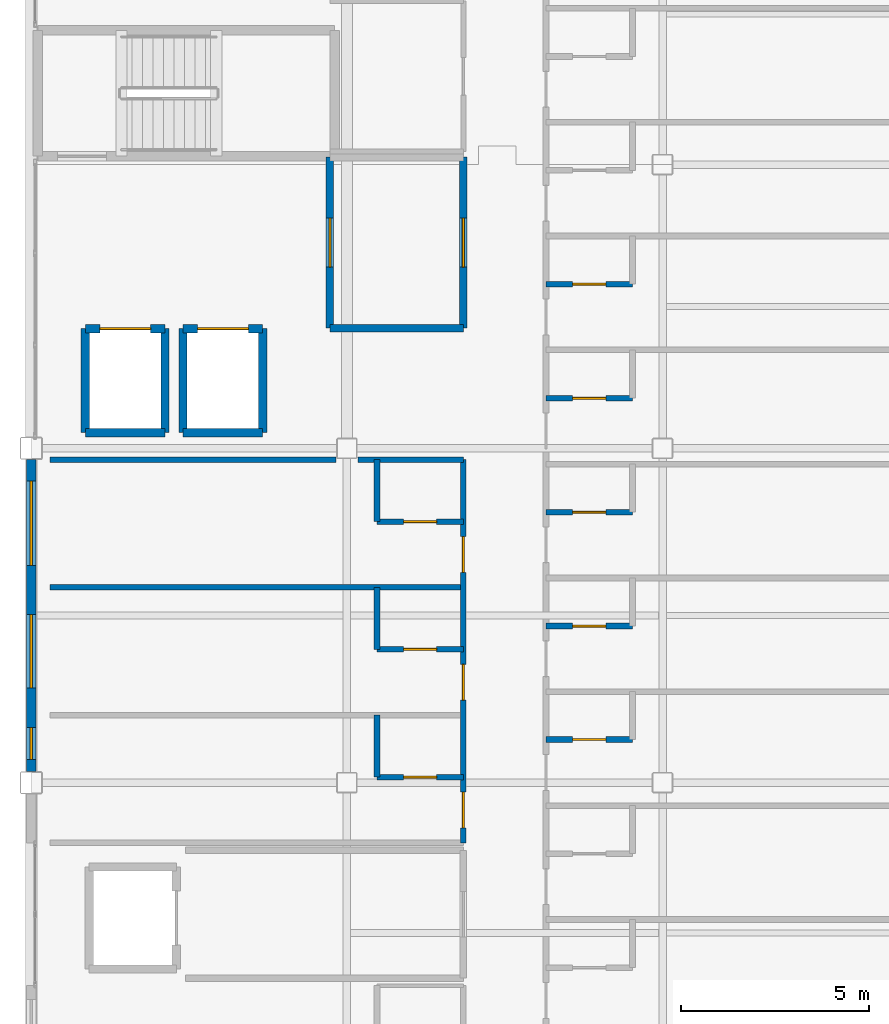
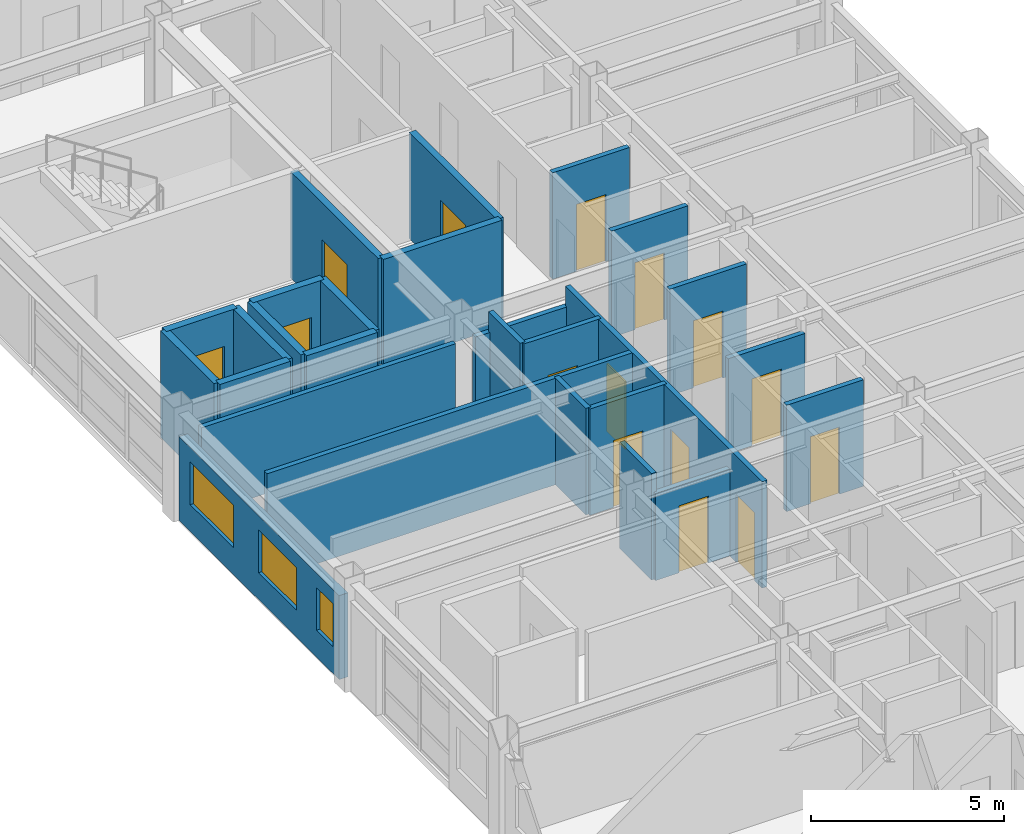
# One storey, part 27 of 36: 27 walls, 15 doors, 3 windows, 18 openings.
"""IFC4 building model written with IfcOpenShell, lengths in metres."""

from ifc_helpers import new_model, si_unit, direction, frame, frame_2d, origin, place, context, subcontext, project, spatial, rectangle, extrude, material, layer, layer_set, type_object, element, fill, save


model = new_model("IFC4")

# Units and contexts
model_context = context("Model", 3, precision=1e-05, world=origin(), true_north=direction((0.0, 1.0)))
body_context = subcontext(model_context, "Body", "Model", "MODEL_VIEW")
ifc_project = project(units=[si_unit("LENGTHUNIT", "METRE"), si_unit("AREAUNIT", "SQUARE_METRE"), si_unit("VOLUMEUNIT", "CUBIC_METRE"), si_unit("PLANEANGLEUNIT", "RADIAN"), si_unit("MASSUNIT", "GRAM", prefix="KILO")], contexts=[model_context])

# Site, building, storey
site_placement = place(None, origin())
site = spatial("IfcSite", under=ifc_project, at=site_placement, CompositionType="ELEMENT")
building_placement = place(site_placement, origin())
building = spatial("IfcBuilding", under=site, at=building_placement, Name="Kazehara Bluff Congress Hotel", CompositionType="ELEMENT")
storey_placement = place(building_placement, frame((0.0, 0.0, 31.800048828125)))
storey = spatial("IfcBuildingStorey", under=building, at=storey_placement, Name="L07", CompositionType="ELEMENT", Elevation=31.800048828125)

# Wall, openings, windows
ifc_material_1 = material(Name="Precast concrete C40/50", Category="concrete")
ifc_layer_1 = layer(ifc_material_1, 0.260009765625)
ifc_layer_set_1 = layer_set([ifc_layer_1], Name="Precast concrete C40/50")
wall_type_1 = type_object("IfcWallType", Name="TP-EW-260", PredefinedType="SOLIDWALL", material=ifc_layer_set_1)
wall_1_placement = place(storey_placement, frame((143.699951171875, 32.300048828125, 0.0), z_axis=(0.0, 0.0, 1.0), x_axis=(0.0, 1.0, 0.0)))
wall_1 = element("IfcWall", 1, at=wall_1_placement, inside=storey, type_object=wall_type_1, Name="L07 hotel facade panel 104", PredefinedType="SOLIDWALL", context=body_context, shape_type="SweptSolid", body=[
    extrude(rectangle(XDim=8.300048828125, YDim=0.260009765625, at=frame_2d((4.14990234375, 0.0))), origin(), (0.0, 0.0, 1.0), 2.655029296875),
])
opening_1_placement = place(wall_1_placement, frame((0.324951171875, 0.0, 0.85009765625)))
opening_1 = element("IfcOpeningElement", 2, at=opening_1_placement, cuts=wall_1, Name="Opening WN-55", PredefinedType="OPENING", context=body_context, shape_type="SweptSolid", body=[
    extrude(rectangle(XDim=0.85009765625, YDim=1.35009765625, at=frame_2d((0.425048828125, 0.675048828125))), frame((0.0, 0.139892578125, 0.0), z_axis=(0.0, -1.0, 0.0), x_axis=(1.0, 0.0, 0.0)), (0.0, 0.0, 1.0), 0.280029296875),
])
opening_2_placement = place(wall_1_placement, frame((2.22509765625, 0.0, 0.85009765625)))
opening_2 = element("IfcOpeningElement", 3, at=opening_2_placement, cuts=wall_1, Name="Opening WN-41", PredefinedType="OPENING", context=body_context, shape_type="SweptSolid", body=[
    extrude(rectangle(XDim=1.949951171875, YDim=1.35009765625, at=frame_2d((0.97509765625, 0.675048828125))), frame((0.0, 0.139892578125, 0.0), z_axis=(0.0, -1.0, 0.0), x_axis=(1.0, 0.0, 0.0)), (0.0, 0.0, 1.0), 0.280029296875),
])
opening_3_placement = place(wall_1_placement, frame((5.47509765625, 0.0, 0.85009765625)))
opening_3 = element("IfcOpeningElement", 4, at=opening_3_placement, cuts=wall_1, Name="Opening WN-51", PredefinedType="OPENING", context=body_context, shape_type="SweptSolid", body=[
    extrude(rectangle(XDim=2.25, YDim=1.35009765625, at=frame_2d((1.125, 0.675048828125))), frame((0.0, 0.139892578125, 0.0), z_axis=(0.0, -1.0, 0.0), x_axis=(1.0, 0.0, 0.0)), (0.0, 0.0, 1.0), 0.280029296875),
])
ifc_material_2 = material(Name="Insulated low-E double glazing", Category="glass")
window_type_1 = type_object("IfcWindowType", Name="TP-WN-41", PartitioningType="DOUBLE_PANEL_VERTICAL", PredefinedType="WINDOW", material=ifc_material_2)
window_1_placement = place(opening_2_placement, origin())
window_1 = element("IfcWindow", 5, at=window_1_placement, inside=storey, type_object=window_type_1, Name="L07 guestroom window WN-41 198", OverallHeight=1.35009765625, OverallWidth=1.949951171875, PartitioningType="SINGLE_PANEL", PredefinedType="WINDOW", context=body_context, shape_type="SweptSolid", body=[
    extrude(rectangle(XDim=1.949951171875, YDim=1.35009765625, at=frame_2d((0.97509765625, 0.675048828125))), frame((0.0, 0.030029296875, 0.0), z_axis=(0.0, -1.0, 0.0), x_axis=(1.0, 0.0, 0.0)), (0.0, 0.0, 1.0), 0.06005859375),
])
fill(opening_2, window_1)
ifc_material_3 = material(Name="Insulated low-E double glazing", Category="glass")
window_type_2 = type_object("IfcWindowType", Name="TP-WN-51", PartitioningType="DOUBLE_PANEL_VERTICAL", PredefinedType="WINDOW", material=ifc_material_3)
window_2_placement = place(opening_3_placement, origin())
window_2 = element("IfcWindow", 6, at=window_2_placement, inside=storey, type_object=window_type_2, Name="L07 guestroom window WN-51 199", OverallHeight=1.35009765625, OverallWidth=2.25, PartitioningType="SINGLE_PANEL", PredefinedType="WINDOW", context=body_context, shape_type="SweptSolid", body=[
    extrude(rectangle(XDim=2.25, YDim=1.35009765625, at=frame_2d((1.125, 0.675048828125))), frame((0.0, 0.030029296875, 0.0), z_axis=(0.0, -1.0, 0.0), x_axis=(1.0, 0.0, 0.0)), (0.0, 0.0, 1.0), 0.06005859375),
])
fill(opening_3, window_2)
ifc_material_4 = material(Name="Insulated low-E double glazing", Category="glass")
window_type_3 = type_object("IfcWindowType", Name="TP-WN-55", PartitioningType="SINGLE_PANEL", PredefinedType="WINDOW", material=ifc_material_4)
window_3_placement = place(opening_1_placement, origin())
window_3 = element("IfcWindow", 7, at=window_3_placement, inside=storey, type_object=window_type_3, Name="L07 guestroom window WN-55 197", OverallHeight=1.35009765625, OverallWidth=0.85009765625, PartitioningType="SINGLE_PANEL", PredefinedType="WINDOW", context=body_context, shape_type="SweptSolid", body=[
    extrude(rectangle(XDim=0.85009765625, YDim=1.35009765625, at=frame_2d((0.425048828125, 0.675048828125))), frame((0.0, 0.030029296875, 0.0), z_axis=(0.0, -1.0, 0.0), x_axis=(1.0, 0.0, 0.0)), (0.0, 0.0, 1.0), 0.06005859375),
])
fill(opening_1, window_3)

# Wall
ifc_material_5 = material(Name="Concrete C40/50", Category="concrete")
ifc_layer_2 = layer(ifc_material_5, 0.199951171875)
ifc_layer_set_2 = layer_set([ifc_layer_2], Name="Concrete C40/50")
wall_type_2 = type_object("IfcWallType", Name="TP-FW-RC", PredefinedType="SOLIDWALL", material=ifc_layer_set_2)
wall_2_placement = place(storey_placement, frame((151.64990234375, 44.10009765625, 0.0), z_axis=(0.0, 0.0, 1.0), x_axis=(1.0, 0.0, 0.0)))
element("IfcWall", 8, at=wall_2_placement, inside=storey, type_object=wall_type_2, Name="L07 partition FW-RC 900", PredefinedType="SOLIDWALL", context=body_context, shape_type="SweptSolid", body=[
    extrude(rectangle(XDim=3.550048828125, YDim=0.199951171875, at=frame_2d((1.77490234375, 0.0))), origin(), (0.0, 0.0, 1.0), 3.364990234375),
])

# Wall, opening, door
wall_3_placement = place(storey_placement, frame((151.64990234375, 44.10009765625, 0.0), z_axis=(0.0, 0.0, 1.0), x_axis=(0.0, 1.0, 0.0)))
wall_3 = element("IfcWall", 9, at=wall_3_placement, inside=storey, type_object=wall_type_2, Name="L07 partition FW-RC 958", PredefinedType="SOLIDWALL", context=body_context, shape_type="SweptSolid", body=[
    extrude(rectangle(XDim=4.5498046875, YDim=0.199951171875, at=frame_2d((2.27490234375, 0.0))), origin(), (0.0, 0.0, 1.0), 3.364990234375),
])
opening_4_placement = place(wall_3_placement, frame((1.625, 0.0, 0.0)))
opening_4 = element("IfcOpeningElement", 10, at=opening_4_placement, cuts=wall_3, Name="Opening FD-01", PredefinedType="OPENING", context=body_context, shape_type="SweptSolid", body=[
    extrude(rectangle(XDim=1.300048828125, YDim=2.199951171875, at=frame_2d((0.64990234375, 1.10009765625))), frame((0.0, 0.10986328125, 0.0), z_axis=(0.0, -1.0, 0.0), x_axis=(1.0, 0.0, 0.0)), (0.0, 0.0, 1.0), 0.219970703125),
])
ifc_material_6 = material(Name="Fire-rated painted steel leaf", Category="steel")
door_type_1 = type_object("IfcDoorType", Name="TP-FD-01", OperationType="NOTDEFINED", PredefinedType="DOOR", material=ifc_material_6)
door_1_placement = place(opening_4_placement, origin())
door_1 = element("IfcDoor", 11, at=door_1_placement, inside=storey, type_object=door_type_1, Name="L07 Emergency Firefighting Lobby door", OperationType="SINGLE_SWING_RIGHT", OverallHeight=2.199951171875, OverallWidth=1.300048828125, PredefinedType="DOOR", context=body_context, shape_type="SweptSolid", body=[
    extrude(rectangle(XDim=1.300048828125, YDim=2.199951171875, at=frame_2d((0.64990234375, 1.10009765625))), frame((0.0, 0.02490234375, 0.0), z_axis=(0.0, -1.0, 0.0), x_axis=(1.0, 0.0, 0.0)), (0.0, 0.0, 1.0), 0.050048828125),
])
fill(opening_4, door_1)

wall_4_placement = place(storey_placement, frame((155.199951171875, 44.10009765625, 0.0), z_axis=(0.0, 0.0, 1.0), x_axis=(0.0, 1.0, 0.0)))
wall_4 = element("IfcWall", 12, at=wall_4_placement, inside=storey, type_object=wall_type_2, Name="L07 partition FW-RC 978", PredefinedType="SOLIDWALL", context=body_context, shape_type="SweptSolid", body=[
    extrude(rectangle(XDim=4.5498046875, YDim=0.199951171875, at=frame_2d((2.27490234375, 0.0))), origin(), (0.0, 0.0, 1.0), 3.364990234375),
])
opening_5_placement = place(wall_4_placement, frame((1.625, 0.0, 0.0)))
opening_5 = element("IfcOpeningElement", 13, at=opening_5_placement, cuts=wall_4, Name="Opening FD-01", PredefinedType="OPENING", context=body_context, shape_type="SweptSolid", body=[
    extrude(rectangle(XDim=1.300048828125, YDim=2.199951171875, at=frame_2d((0.64990234375, 1.10009765625))), frame((0.0, 0.10986328125, 0.0), z_axis=(0.0, -1.0, 0.0), x_axis=(1.0, 0.0, 0.0)), (0.0, 0.0, 1.0), 0.219970703125),
])
door_2_placement = place(opening_5_placement, origin())
door_2 = element("IfcDoor", 14, at=door_2_placement, inside=storey, type_object=door_type_1, Name="L07 Smoke Vestibule Lobby door", OperationType="SINGLE_SWING_LEFT", OverallHeight=2.199951171875, OverallWidth=1.300048828125, PredefinedType="DOOR", context=body_context, shape_type="SweptSolid", body=[
    extrude(rectangle(XDim=1.300048828125, YDim=2.199951171875, at=frame_2d((0.64990234375, 1.10009765625))), frame((0.0, 0.02490234375, 0.0), z_axis=(0.0, -1.0, 0.0), x_axis=(1.0, 0.0, 0.0)), (0.0, 0.0, 1.0), 0.050048828125),
])
fill(opening_5, door_2)

ifc_material_7 = material(Name="Fire-rated gypsum board stud partition")
ifc_layer_3 = layer(ifc_material_7, 0.14990234375)
ifc_layer_set_3 = layer_set([ifc_layer_3], Name="Fire-rated gypsum board stud partition")
wall_type_3 = type_object("IfcWallType", Name="TP-PT-150", PredefinedType="PARTITIONING", material=ifc_layer_set_3)
wall_5_placement = place(storey_placement, frame((152.89990234375, 32.14990234375, 0.0), z_axis=(0.0, 0.0, 1.0), x_axis=(1.0, 0.0, 0.0)))
wall_5 = element("IfcWall", 15, at=wall_5_placement, inside=storey, type_object=wall_type_3, Name="L07 partition PT-150 885", PredefinedType="PARTITIONING", context=body_context, shape_type="SweptSolid", body=[
    extrude(rectangle(XDim=2.300048828125, YDim=0.14990234375, at=frame_2d((1.14990234375, 0.0))), origin(), (0.0, 0.0, 1.0), 2.7548828125),
])
opening_6_placement = place(wall_5_placement, frame((0.7099609375, 0.0, 0.0)))
opening_6 = element("IfcOpeningElement", 16, at=opening_6_placement, cuts=wall_5, Name="Opening BD-02", PredefinedType="OPENING", context=body_context, shape_type="SweptSolid", body=[
    extrude(rectangle(XDim=0.8798828125, YDim=2.1201171875, at=frame_2d((0.43994140625, 1.06005859375))), frame((0.0, 0.0849609375, 0.0), z_axis=(0.0, -1.0, 0.0), x_axis=(1.0, 0.0, 0.0)), (0.0, 0.0, 1.0), 0.169921875),
])
ifc_material_8 = material(Name="Architectural oak veneer leaf")
door_type_2 = type_object("IfcDoorType", Name="TP-BD-02", OperationType="NOTDEFINED", PredefinedType="DOOR", material=ifc_material_8)
door_3_placement = place(opening_6_placement, origin())
door_3 = element("IfcDoor", 17, at=door_3_placement, inside=storey, type_object=door_type_2, Name="L07 En-suite Bathroom 171 door", OperationType="SINGLE_SWING_RIGHT", OverallHeight=2.1201171875, OverallWidth=0.8798828125, PredefinedType="DOOR", context=body_context, shape_type="SweptSolid", body=[
    extrude(rectangle(XDim=0.8798828125, YDim=2.1201171875, at=frame_2d((0.43994140625, 1.06005859375))), frame((0.0, 0.02490234375, 0.0), z_axis=(0.0, -1.0, 0.0), x_axis=(1.0, 0.0, 0.0)), (0.0, 0.0, 1.0), 0.050048828125),
])
fill(opening_6, door_3)

wall_6_placement = place(storey_placement, frame((157.39990234375, 33.14990234375, 0.0), z_axis=(0.0, 0.0, 1.0), x_axis=(1.0, 0.0, 0.0)))
wall_6 = element("IfcWall", 18, at=wall_6_placement, inside=storey, type_object=wall_type_3, Name="L07 partition PT-150 886", PredefinedType="PARTITIONING", context=body_context, shape_type="SweptSolid", body=[
    extrude(rectangle(XDim=2.300048828125, YDim=0.14990234375, at=frame_2d((1.14990234375, 0.0))), origin(), (0.0, 0.0, 1.0), 3.364990234375),
])
opening_7_placement = place(wall_6_placement, frame((0.7099609375, 0.0, 0.0)))
opening_7 = element("IfcOpeningElement", 19, at=opening_7_placement, cuts=wall_6, Name="Opening BD-02", PredefinedType="OPENING", context=body_context, shape_type="SweptSolid", body=[
    extrude(rectangle(XDim=0.8798828125, YDim=2.1201171875, at=frame_2d((0.43994140625, 1.06005859375))), frame((0.0, 0.0849609375, 0.0), z_axis=(0.0, -1.0, 0.0), x_axis=(1.0, 0.0, 0.0)), (0.0, 0.0, 1.0), 0.169921875),
])
door_4_placement = place(opening_7_placement, origin())
door_4 = element("IfcDoor", 20, at=door_4_placement, inside=storey, type_object=door_type_2, Name="L07 En-suite Bathroom 189 door", OperationType="SINGLE_SWING_RIGHT", OverallHeight=2.1201171875, OverallWidth=0.8798828125, PredefinedType="DOOR", context=body_context, shape_type="SweptSolid", body=[
    extrude(rectangle(XDim=0.8798828125, YDim=2.1201171875, at=frame_2d((0.43994140625, 1.06005859375))), frame((0.0, 0.02490234375, 0.0), z_axis=(0.0, -1.0, 0.0), x_axis=(1.0, 0.0, 0.0)), (0.0, 0.0, 1.0), 0.050048828125),
])
fill(opening_7, door_4)

wall_7_placement = place(storey_placement, frame((152.89990234375, 35.550048828125, 0.0), z_axis=(0.0, 0.0, 1.0), x_axis=(1.0, 0.0, 0.0)))
wall_7 = element("IfcWall", 21, at=wall_7_placement, inside=storey, type_object=wall_type_3, Name="L07 partition PT-150 889", PredefinedType="PARTITIONING", context=body_context, shape_type="SweptSolid", body=[
    extrude(rectangle(XDim=2.300048828125, YDim=0.14990234375, at=frame_2d((1.14990234375, 0.0))), origin(), (0.0, 0.0, 1.0), 3.364990234375),
])
opening_8_placement = place(wall_7_placement, frame((0.7099609375, 0.0, 0.0)))
opening_8 = element("IfcOpeningElement", 22, at=opening_8_placement, cuts=wall_7, Name="Opening BD-02", PredefinedType="OPENING", context=body_context, shape_type="SweptSolid", body=[
    extrude(rectangle(XDim=0.8798828125, YDim=2.1201171875, at=frame_2d((0.43994140625, 1.06005859375))), frame((0.0, 0.0849609375, 0.0), z_axis=(0.0, -1.0, 0.0), x_axis=(1.0, 0.0, 0.0)), (0.0, 0.0, 1.0), 0.169921875),
])
door_5_placement = place(opening_8_placement, origin())
door_5 = element("IfcDoor", 23, at=door_5_placement, inside=storey, type_object=door_type_2, Name="L07 En-suite Bathroom 172 door", OperationType="SINGLE_SWING_RIGHT", OverallHeight=2.1201171875, OverallWidth=0.8798828125, PredefinedType="DOOR", context=body_context, shape_type="SweptSolid", body=[
    extrude(rectangle(XDim=0.8798828125, YDim=2.1201171875, at=frame_2d((0.43994140625, 1.06005859375))), frame((0.0, 0.02490234375, 0.0), z_axis=(0.0, -1.0, 0.0), x_axis=(1.0, 0.0, 0.0)), (0.0, 0.0, 1.0), 0.050048828125),
])
fill(opening_8, door_5)

wall_8_placement = place(storey_placement, frame((157.39990234375, 36.169921875, 0.0), z_axis=(0.0, 0.0, 1.0), x_axis=(1.0, 0.0, 0.0)))
wall_8 = element("IfcWall", 24, at=wall_8_placement, inside=storey, type_object=wall_type_3, Name="L07 partition PT-150 890", PredefinedType="PARTITIONING", context=body_context, shape_type="SweptSolid", body=[
    extrude(rectangle(XDim=2.300048828125, YDim=0.14990234375, at=frame_2d((1.14990234375, 0.0))), origin(), (0.0, 0.0, 1.0), 3.0048828125),
])
opening_9_placement = place(wall_8_placement, frame((0.7099609375, 0.0, 0.0)))
opening_9 = element("IfcOpeningElement", 25, at=opening_9_placement, cuts=wall_8, Name="Opening BD-02", PredefinedType="OPENING", context=body_context, shape_type="SweptSolid", body=[
    extrude(rectangle(XDim=0.8798828125, YDim=2.1201171875, at=frame_2d((0.43994140625, 1.06005859375))), frame((0.0, 0.0849609375, 0.0), z_axis=(0.0, -1.0, 0.0), x_axis=(1.0, 0.0, 0.0)), (0.0, 0.0, 1.0), 0.169921875),
])
door_6_placement = place(opening_9_placement, origin())
door_6 = element("IfcDoor", 26, at=door_6_placement, inside=storey, type_object=door_type_2, Name="L07 En-suite Bathroom 190 door", OperationType="SINGLE_SWING_RIGHT", OverallHeight=2.1201171875, OverallWidth=0.8798828125, PredefinedType="DOOR", context=body_context, shape_type="SweptSolid", body=[
    extrude(rectangle(XDim=0.8798828125, YDim=2.1201171875, at=frame_2d((0.43994140625, 1.06005859375))), frame((0.0, 0.02490234375, 0.0), z_axis=(0.0, -1.0, 0.0), x_axis=(1.0, 0.0, 0.0)), (0.0, 0.0, 1.0), 0.050048828125),
])
fill(opening_9, door_6)

# Wall
wall_9_placement = place(storey_placement, frame((144.199951171875, 37.199951171875, 0.0), z_axis=(0.0, 0.0, 1.0), x_axis=(1.0, 0.0, 0.0)))
element("IfcWall", 27, at=wall_9_placement, inside=storey, type_object=wall_type_3, Name="L07 partition PT-150 891", PredefinedType="PARTITIONING", context=body_context, shape_type="SweptSolid", body=[
    extrude(rectangle(XDim=11.0, YDim=0.14990234375, at=frame_2d((5.5, 0.0))), origin(), (0.0, 0.0, 1.0), 3.364990234375),
])

# Wall, opening, door
wall_10_placement = place(storey_placement, frame((152.89990234375, 38.949951171875, 0.0), z_axis=(0.0, 0.0, 1.0), x_axis=(1.0, 0.0, 0.0)))
wall_10 = element("IfcWall", 28, at=wall_10_placement, inside=storey, type_object=wall_type_3, Name="L07 partition PT-150 893", PredefinedType="PARTITIONING", context=body_context, shape_type="SweptSolid", body=[
    extrude(rectangle(XDim=2.300048828125, YDim=0.14990234375, at=frame_2d((1.14990234375, 0.0))), origin(), (0.0, 0.0, 1.0), 3.364990234375),
])
opening_10_placement = place(wall_10_placement, frame((0.7099609375, 0.0, 0.0)))
opening_10 = element("IfcOpeningElement", 29, at=opening_10_placement, cuts=wall_10, Name="Opening BD-02", PredefinedType="OPENING", context=body_context, shape_type="SweptSolid", body=[
    extrude(rectangle(XDim=0.8798828125, YDim=2.1201171875, at=frame_2d((0.43994140625, 1.06005859375))), frame((0.0, 0.0849609375, 0.0), z_axis=(0.0, -1.0, 0.0), x_axis=(1.0, 0.0, 0.0)), (0.0, 0.0, 1.0), 0.169921875),
])
door_7_placement = place(opening_10_placement, origin())
door_7 = element("IfcDoor", 30, at=door_7_placement, inside=storey, type_object=door_type_2, Name="L07 En-suite Bathroom 173 door", OperationType="SINGLE_SWING_RIGHT", OverallHeight=2.1201171875, OverallWidth=0.8798828125, PredefinedType="DOOR", context=body_context, shape_type="SweptSolid", body=[
    extrude(rectangle(XDim=0.8798828125, YDim=2.1201171875, at=frame_2d((0.43994140625, 1.06005859375))), frame((0.0, 0.02490234375, 0.0), z_axis=(0.0, -1.0, 0.0), x_axis=(1.0, 0.0, 0.0)), (0.0, 0.0, 1.0), 0.050048828125),
])
fill(opening_10, door_7)

wall_11_placement = place(storey_placement, frame((157.39990234375, 39.199951171875, 0.0), z_axis=(0.0, 0.0, 1.0), x_axis=(1.0, 0.0, 0.0)))
wall_11 = element("IfcWall", 31, at=wall_11_placement, inside=storey, type_object=wall_type_3, Name="L07 partition PT-150 894", PredefinedType="PARTITIONING", context=body_context, shape_type="SweptSolid", body=[
    extrude(rectangle(XDim=2.300048828125, YDim=0.14990234375, at=frame_2d((1.14990234375, 0.0))), origin(), (0.0, 0.0, 1.0), 3.364990234375),
])
opening_11_placement = place(wall_11_placement, frame((0.7099609375, 0.0, 0.0)))
opening_11 = element("IfcOpeningElement", 32, at=opening_11_placement, cuts=wall_11, Name="Opening BD-02", PredefinedType="OPENING", context=body_context, shape_type="SweptSolid", body=[
    extrude(rectangle(XDim=0.8798828125, YDim=2.1201171875, at=frame_2d((0.43994140625, 1.06005859375))), frame((0.0, 0.0849609375, 0.0), z_axis=(0.0, -1.0, 0.0), x_axis=(1.0, 0.0, 0.0)), (0.0, 0.0, 1.0), 0.169921875),
])
door_8_placement = place(opening_11_placement, origin())
door_8 = element("IfcDoor", 33, at=door_8_placement, inside=storey, type_object=door_type_2, Name="L07 En-suite Bathroom 191 door", OperationType="SINGLE_SWING_RIGHT", OverallHeight=2.1201171875, OverallWidth=0.8798828125, PredefinedType="DOOR", context=body_context, shape_type="SweptSolid", body=[
    extrude(rectangle(XDim=0.8798828125, YDim=2.1201171875, at=frame_2d((0.43994140625, 1.06005859375))), frame((0.0, 0.02490234375, 0.0), z_axis=(0.0, -1.0, 0.0), x_axis=(1.0, 0.0, 0.0)), (0.0, 0.0, 1.0), 0.050048828125),
])
fill(opening_11, door_8)

# Walls
wall_12_placement = place(storey_placement, frame((144.199951171875, 40.60009765625, 0.0), z_axis=(0.0, 0.0, 1.0), x_axis=(1.0, 0.0, 0.0)))
element("IfcWall", 34, at=wall_12_placement, inside=storey, type_object=wall_type_3, Name="L07 partition PT-150 896", PredefinedType="PARTITIONING", context=body_context, shape_type="SweptSolid", body=[
    extrude(rectangle(XDim=7.60498046875, YDim=0.14990234375, at=frame_2d((3.802490234375, 0.0))), origin(), (0.0, 0.0, 1.0), 2.7548828125),
])
wall_13_placement = place(storey_placement, frame((152.39501953125, 40.60009765625, 0.0), z_axis=(0.0, 0.0, 1.0), x_axis=(1.0, 0.0, 0.0)))
element("IfcWall", 35, at=wall_13_placement, inside=storey, type_object=wall_type_3, Name="L07 partition PT-150 897", PredefinedType="PARTITIONING", context=body_context, shape_type="SweptSolid", body=[
    extrude(rectangle(XDim=2.804931640625, YDim=0.14990234375, at=frame_2d((1.40234375, 0.0))), origin(), (0.0, 0.0, 1.0), 2.7548828125),
])

# Wall, opening, door
wall_14_placement = place(storey_placement, frame((157.39990234375, 42.22998046875, 0.0), z_axis=(0.0, 0.0, 1.0), x_axis=(1.0, 0.0, 0.0)))
wall_14 = element("IfcWall", 36, at=wall_14_placement, inside=storey, type_object=wall_type_3, Name="L07 partition PT-150 898", PredefinedType="PARTITIONING", context=body_context, shape_type="SweptSolid", body=[
    extrude(rectangle(XDim=2.300048828125, YDim=0.14990234375, at=frame_2d((1.14990234375, 0.0))), origin(), (0.0, 0.0, 1.0), 3.364990234375),
])
opening_12_placement = place(wall_14_placement, frame((0.7099609375, 0.0, 0.0)))
opening_12 = element("IfcOpeningElement", 37, at=opening_12_placement, cuts=wall_14, Name="Opening BD-02", PredefinedType="OPENING", context=body_context, shape_type="SweptSolid", body=[
    extrude(rectangle(XDim=0.8798828125, YDim=2.1201171875, at=frame_2d((0.43994140625, 1.06005859375))), frame((0.0, 0.0849609375, 0.0), z_axis=(0.0, -1.0, 0.0), x_axis=(1.0, 0.0, 0.0)), (0.0, 0.0, 1.0), 0.169921875),
])
door_9_placement = place(opening_12_placement, origin())
door_9 = element("IfcDoor", 38, at=door_9_placement, inside=storey, type_object=door_type_2, Name="L07 En-suite Bathroom 192 door", OperationType="SINGLE_SWING_RIGHT", OverallHeight=2.1201171875, OverallWidth=0.8798828125, PredefinedType="DOOR", context=body_context, shape_type="SweptSolid", body=[
    extrude(rectangle(XDim=0.8798828125, YDim=2.1201171875, at=frame_2d((0.43994140625, 1.06005859375))), frame((0.0, 0.02490234375, 0.0), z_axis=(0.0, -1.0, 0.0), x_axis=(1.0, 0.0, 0.0)), (0.0, 0.0, 1.0), 0.050048828125),
])
fill(opening_12, door_9)

wall_15_placement = place(storey_placement, frame((157.39990234375, 45.27001953125, 0.0), z_axis=(0.0, 0.0, 1.0), x_axis=(1.0, 0.0, 0.0)))
wall_15 = element("IfcWall", 39, at=wall_15_placement, inside=storey, type_object=wall_type_3, Name="L07 partition PT-150 901", PredefinedType="PARTITIONING", context=body_context, shape_type="SweptSolid", body=[
    extrude(rectangle(XDim=2.300048828125, YDim=0.14990234375, at=frame_2d((1.14990234375, 0.0))), origin(), (0.0, 0.0, 1.0), 3.364990234375),
])
opening_13_placement = place(wall_15_placement, frame((0.7099609375, 0.0, 0.0)))
opening_13 = element("IfcOpeningElement", 40, at=opening_13_placement, cuts=wall_15, Name="Opening BD-02", PredefinedType="OPENING", context=body_context, shape_type="SweptSolid", body=[
    extrude(rectangle(XDim=0.8798828125, YDim=2.1201171875, at=frame_2d((0.43994140625, 1.06005859375))), frame((0.0, 0.0849609375, 0.0), z_axis=(0.0, -1.0, 0.0), x_axis=(1.0, 0.0, 0.0)), (0.0, 0.0, 1.0), 0.169921875),
])
door_10_placement = place(opening_13_placement, origin())
door_10 = element("IfcDoor", 41, at=door_10_placement, inside=storey, type_object=door_type_2, Name="L07 En-suite Bathroom 193 door", OperationType="SINGLE_SWING_RIGHT", OverallHeight=2.1201171875, OverallWidth=0.8798828125, PredefinedType="DOOR", context=body_context, shape_type="SweptSolid", body=[
    extrude(rectangle(XDim=0.8798828125, YDim=2.1201171875, at=frame_2d((0.43994140625, 1.06005859375))), frame((0.0, 0.02490234375, 0.0), z_axis=(0.0, -1.0, 0.0), x_axis=(1.0, 0.0, 0.0)), (0.0, 0.0, 1.0), 0.050048828125),
])
fill(opening_13, door_10)

# Walls
wall_16_placement = place(storey_placement, frame((152.89990234375, 32.14990234375, 0.0), z_axis=(0.0, 0.0, 1.0), x_axis=(0.0, 1.0, 0.0)))
element("IfcWall", 42, at=wall_16_placement, inside=storey, type_object=wall_type_3, Name="L07 partition PT-150 963", PredefinedType="PARTITIONING", context=body_context, shape_type="SweptSolid", body=[
    extrude(rectangle(XDim=1.650146484375, YDim=0.14990234375, at=frame_2d((0.8251953125, 0.0))), origin(), (0.0, 0.0, 1.0), 3.364990234375),
])
wall_17_placement = place(storey_placement, frame((152.89990234375, 35.550048828125, 0.0), z_axis=(0.0, 0.0, 1.0), x_axis=(0.0, 1.0, 0.0)))
element("IfcWall", 43, at=wall_17_placement, inside=storey, type_object=wall_type_3, Name="L07 partition PT-150 964", PredefinedType="PARTITIONING", context=body_context, shape_type="SweptSolid", body=[
    extrude(rectangle(XDim=1.64990234375, YDim=0.14990234375, at=frame_2d((0.824951171875, 0.0))), origin(), (0.0, 0.0, 1.0), 3.364990234375),
])
wall_18_placement = place(storey_placement, frame((152.89990234375, 38.949951171875, 0.0), z_axis=(0.0, 0.0, 1.0), x_axis=(0.0, 1.0, 0.0)))
element("IfcWall", 44, at=wall_18_placement, inside=storey, type_object=wall_type_3, Name="L07 partition PT-150 965", PredefinedType="PARTITIONING", context=body_context, shape_type="SweptSolid", body=[
    extrude(rectangle(XDim=1.650146484375, YDim=0.14990234375, at=frame_2d((0.8251953125, 0.0))), origin(), (0.0, 0.0, 1.0), 3.364990234375),
])

# Wall, openings, doors
wall_19_placement = place(storey_placement, frame((155.199951171875, 30.39990234375, 0.0), z_axis=(0.0, 0.0, 1.0), x_axis=(0.0, 1.0, 0.0)))
wall_19 = element("IfcWall", 45, at=wall_19_placement, inside=storey, type_object=wall_type_3, Name="L07 partition PT-150 977", PredefinedType="PARTITIONING", context=body_context, shape_type="SweptSolid", body=[
    extrude(rectangle(XDim=10.2001953125, YDim=0.14990234375, at=frame_2d((5.10009765625, 0.0))), origin(), (0.0, 0.0, 1.0), 3.364990234375),
])
opening_14_placement = place(wall_19_placement, frame((0.39990234375, 0.0, 0.0)))
opening_14 = element("IfcOpeningElement", 46, at=opening_14_placement, cuts=wall_19, Name="Opening GD-01", PredefinedType="OPENING", context=body_context, shape_type="SweptSolid", body=[
    extrude(rectangle(XDim=0.949951171875, YDim=2.14990234375, at=frame_2d((0.47509765625, 1.074951171875))), frame((0.0, 0.0849609375, 0.0), z_axis=(0.0, -1.0, 0.0), x_axis=(1.0, 0.0, 0.0)), (0.0, 0.0, 1.0), 0.169921875),
])
opening_15_placement = place(wall_19_placement, frame((3.800048828125, 0.0, 0.0)))
opening_15 = element("IfcOpeningElement", 47, at=opening_15_placement, cuts=wall_19, Name="Opening GD-01", PredefinedType="OPENING", context=body_context, shape_type="SweptSolid", body=[
    extrude(rectangle(XDim=0.949951171875, YDim=2.14990234375, at=frame_2d((0.47509765625, 1.074951171875))), frame((0.0, 0.0849609375, 0.0), z_axis=(0.0, -1.0, 0.0), x_axis=(1.0, 0.0, 0.0)), (0.0, 0.0, 1.0), 0.169921875),
])
opening_16_placement = place(wall_19_placement, frame((7.199951171875, 0.0, 0.0)))
opening_16 = element("IfcOpeningElement", 48, at=opening_16_placement, cuts=wall_19, Name="Opening GD-01", PredefinedType="OPENING", context=body_context, shape_type="SweptSolid", body=[
    extrude(rectangle(XDim=0.949951171875, YDim=2.14990234375, at=frame_2d((0.47509765625, 1.074951171875))), frame((0.0, 0.0849609375, 0.0), z_axis=(0.0, -1.0, 0.0), x_axis=(1.0, 0.0, 0.0)), (0.0, 0.0, 1.0), 0.169921875),
])
ifc_material_9 = material(Name="Architectural oak veneer leaf")
door_type_3 = type_object("IfcDoorType", Name="TP-GD-01", OperationType="NOTDEFINED", PredefinedType="DOOR", material=ifc_material_9)
door_11_placement = place(opening_14_placement, origin())
door_11 = element("IfcDoor", 49, at=door_11_placement, inside=storey, type_object=door_type_3, Name="L07 Standard King Guest Room 171 door", OperationType="SINGLE_SWING_LEFT", OverallHeight=2.14990234375, OverallWidth=0.949951171875, PredefinedType="DOOR", context=body_context, shape_type="SweptSolid", body=[
    extrude(rectangle(XDim=0.949951171875, YDim=2.14990234375, at=frame_2d((0.47509765625, 1.074951171875))), frame((0.0, 0.02490234375, 0.0), z_axis=(0.0, -1.0, 0.0), x_axis=(1.0, 0.0, 0.0)), (0.0, 0.0, 1.0), 0.050048828125),
])
fill(opening_14, door_11)
door_12_placement = place(opening_15_placement, origin())
door_12 = element("IfcDoor", 50, at=door_12_placement, inside=storey, type_object=door_type_3, Name="L07 Deluxe Twin Guest Room 172 door", OperationType="SINGLE_SWING_LEFT", OverallHeight=2.14990234375, OverallWidth=0.949951171875, PredefinedType="DOOR", context=body_context, shape_type="SweptSolid", body=[
    extrude(rectangle(XDim=0.949951171875, YDim=2.14990234375, at=frame_2d((0.47509765625, 1.074951171875))), frame((0.0, 0.02490234375, 0.0), z_axis=(0.0, -1.0, 0.0), x_axis=(1.0, 0.0, 0.0)), (0.0, 0.0, 1.0), 0.050048828125),
])
fill(opening_15, door_12)
door_13_placement = place(opening_16_placement, origin())
door_13 = element("IfcDoor", 51, at=door_13_placement, inside=storey, type_object=door_type_3, Name="L07 Standard King Guest Room 173 door", OperationType="SINGLE_SWING_LEFT", OverallHeight=2.14990234375, OverallWidth=0.949951171875, PredefinedType="DOOR", context=body_context, shape_type="SweptSolid", body=[
    extrude(rectangle(XDim=0.949951171875, YDim=2.14990234375, at=frame_2d((0.47509765625, 1.074951171875))), frame((0.0, 0.02490234375, 0.0), z_axis=(0.0, -1.0, 0.0), x_axis=(1.0, 0.0, 0.0)), (0.0, 0.0, 1.0), 0.050048828125),
])
fill(opening_16, door_13)

# Wall, opening, door
ifc_material_10 = material(Name="Concrete C40/50", Category="concrete")
ifc_layer_4 = layer(ifc_material_10, 0.219970703125)
ifc_layer_set_4 = layer_set([ifc_layer_4], Name="Concrete C40/50")
wall_type_4 = type_object("IfcWallType", Name="TP-SW-RC", PredefinedType="SHEAR", material=ifc_layer_set_4)
wall_20_placement = place(storey_placement, frame((145.139892578125, 44.0849609375, 0.0), z_axis=(0.0, 0.0, 1.0), x_axis=(1.0, 0.0, 0.0)))
wall_20 = element("IfcWall", 52, at=wall_20_placement, inside=storey, type_object=wall_type_4, Name="L07 EL-E1 lift shaft wall +Y", PredefinedType="SHEAR", context=body_context, shape_type="SweptSolid", body=[
    extrude(rectangle(XDim=2.1201171875, YDim=0.219970703125, at=frame_2d((1.06005859375, 0.0))), origin(), (0.0, 0.0, 1.0), 3.3798828125),
])
opening_17_placement = place(wall_20_placement, frame((0.385009765625, 0.0, 0.0)))
opening_17 = element("IfcOpeningElement", 53, at=opening_17_placement, cuts=wall_20, Name="Opening LD-03", PredefinedType="OPENING", context=body_context, shape_type="SweptSolid", body=[
    extrude(rectangle(XDim=1.35009765625, YDim=2.300048828125, at=frame_2d((0.675048828125, 1.14990234375))), frame((0.0, 0.119873046875, 0.0), z_axis=(0.0, -1.0, 0.0), x_axis=(1.0, 0.0, 0.0)), (0.0, 0.0, 1.0), 0.239990234375),
])
ifc_material_11 = material(Name="Fire-rated painted steel leaf", Category="steel")
door_type_4 = type_object("IfcDoorType", Name="TP-LD-03", OperationType="SLIDING_TO_LEFT", PredefinedType="DOOR", material=ifc_material_11)
door_14_placement = place(opening_17_placement, origin())
door_14 = element("IfcDoor", 54, at=door_14_placement, inside=storey, type_object=door_type_4, Name="L07 EL-E1 elevator landing door", OperationType="SLIDING_TO_LEFT", OverallHeight=2.300048828125, OverallWidth=1.35009765625, PredefinedType="DOOR", context=body_context, shape_type="SweptSolid", body=[
    extrude(rectangle(XDim=1.35009765625, YDim=2.300048828125, at=frame_2d((0.675048828125, 1.14990234375))), frame((0.0, 0.02490234375, 0.0), z_axis=(0.0, -1.0, 0.0), x_axis=(1.0, 0.0, 0.0)), (0.0, 0.0, 1.0), 0.050048828125),
])
fill(opening_17, door_14)

# Walls
wall_21_placement = place(storey_placement, frame((145.139892578125, 41.31494140625, 0.0), z_axis=(0.0, 0.0, 1.0), x_axis=(1.0, 0.0, 0.0)))
element("IfcWall", 55, at=wall_21_placement, inside=storey, type_object=wall_type_4, Name="L07 EL-E1 lift shaft wall -Y", PredefinedType="SHEAR", context=body_context, shape_type="SweptSolid", body=[
    extrude(rectangle(XDim=2.1201171875, YDim=0.219970703125, at=frame_2d((1.06005859375, 0.0))), origin(), (0.0, 0.0, 1.0), 3.3798828125),
])
for number, where, z_axis, x_axis, name in (
    (56, (147.260009765625, 41.31494140625, 0.0), (0.0, 0.0, 1.0), (0.0, 1.0, 0.0), "L07 EL-E1 lift shaft wall +X"),
    (57, (145.139892578125, 41.31494140625, 0.0), (0.0, 0.0, 1.0), (0.0, 1.0, 0.0), "L07 EL-E1 lift shaft wall -X"),
):
    element("IfcWall", number, at=place(storey_placement, frame(where, z_axis=z_axis, x_axis=x_axis)), inside=storey, type_object=wall_type_4, Name=name, PredefinedType="SHEAR", context=body_context, shape_type="SweptSolid", body=[
        extrude(rectangle(XDim=2.77001953125, YDim=0.219970703125, at=frame_2d((1.385009765625, 0.0))), origin(), (0.0, 0.0, 1.0), 3.3798828125),
    ])

# Wall, opening, door
wall_22_placement = place(storey_placement, frame((147.739990234375, 44.0849609375, 0.0), z_axis=(0.0, 0.0, 1.0), x_axis=(1.0, 0.0, 0.0)))
wall_22 = element("IfcWall", 58, at=wall_22_placement, inside=storey, type_object=wall_type_4, Name="L07 EL-E2 lift shaft wall +Y", PredefinedType="SHEAR", context=body_context, shape_type="SweptSolid", body=[
    extrude(rectangle(XDim=2.1201171875, YDim=0.219970703125, at=frame_2d((1.06005859375, 0.0))), origin(), (0.0, 0.0, 1.0), 3.3798828125),
])
opening_18_placement = place(wall_22_placement, frame((0.385009765625, 0.0, 0.0)))
opening_18 = element("IfcOpeningElement", 59, at=opening_18_placement, cuts=wall_22, Name="Opening LD-03", PredefinedType="OPENING", context=body_context, shape_type="SweptSolid", body=[
    extrude(rectangle(XDim=1.35009765625, YDim=2.300048828125, at=frame_2d((0.675048828125, 1.14990234375))), frame((0.0, 0.119873046875, 0.0), z_axis=(0.0, -1.0, 0.0), x_axis=(1.0, 0.0, 0.0)), (0.0, 0.0, 1.0), 0.239990234375),
])
door_15_placement = place(opening_18_placement, origin())
door_15 = element("IfcDoor", 60, at=door_15_placement, inside=storey, type_object=door_type_4, Name="L07 EL-E2 elevator landing door", OperationType="SLIDING_TO_LEFT", OverallHeight=2.300048828125, OverallWidth=1.35009765625, PredefinedType="DOOR", context=body_context, shape_type="SweptSolid", body=[
    extrude(rectangle(XDim=1.35009765625, YDim=2.300048828125, at=frame_2d((0.675048828125, 1.14990234375))), frame((0.0, 0.02490234375, 0.0), z_axis=(0.0, -1.0, 0.0), x_axis=(1.0, 0.0, 0.0)), (0.0, 0.0, 1.0), 0.050048828125),
])
fill(opening_18, door_15)

# Walls
wall_23_placement = place(storey_placement, frame((147.739990234375, 41.31494140625, 0.0), z_axis=(0.0, 0.0, 1.0), x_axis=(1.0, 0.0, 0.0)))
element("IfcWall", 61, at=wall_23_placement, inside=storey, type_object=wall_type_4, Name="L07 EL-E2 lift shaft wall -Y", PredefinedType="SHEAR", context=body_context, shape_type="SweptSolid", body=[
    extrude(rectangle(XDim=2.1201171875, YDim=0.219970703125, at=frame_2d((1.06005859375, 0.0))), origin(), (0.0, 0.0, 1.0), 3.3798828125),
])
for number, where, z_axis, x_axis, name in (
    (62, (149.860107421875, 41.31494140625, 0.0), (0.0, 0.0, 1.0), (0.0, 1.0, 0.0), "L07 EL-E2 lift shaft wall +X"),
    (63, (147.739990234375, 41.31494140625, 0.0), (0.0, 0.0, 1.0), (0.0, 1.0, 0.0), "L07 EL-E2 lift shaft wall -X"),
):
    element("IfcWall", number, at=place(storey_placement, frame(where, z_axis=z_axis, x_axis=x_axis)), inside=storey, type_object=wall_type_4, Name=name, PredefinedType="SHEAR", context=body_context, shape_type="SweptSolid", body=[
        extrude(rectangle(XDim=2.77001953125, YDim=0.219970703125, at=frame_2d((1.385009765625, 0.0))), origin(), (0.0, 0.0, 1.0), 3.3798828125),
    ])

save(model, "model.ifc")
